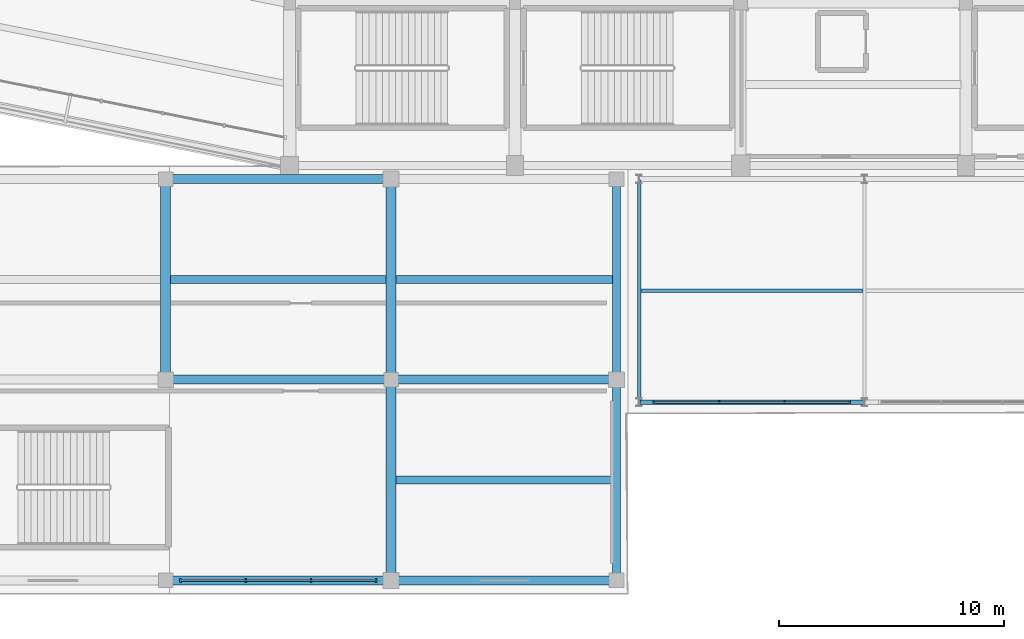
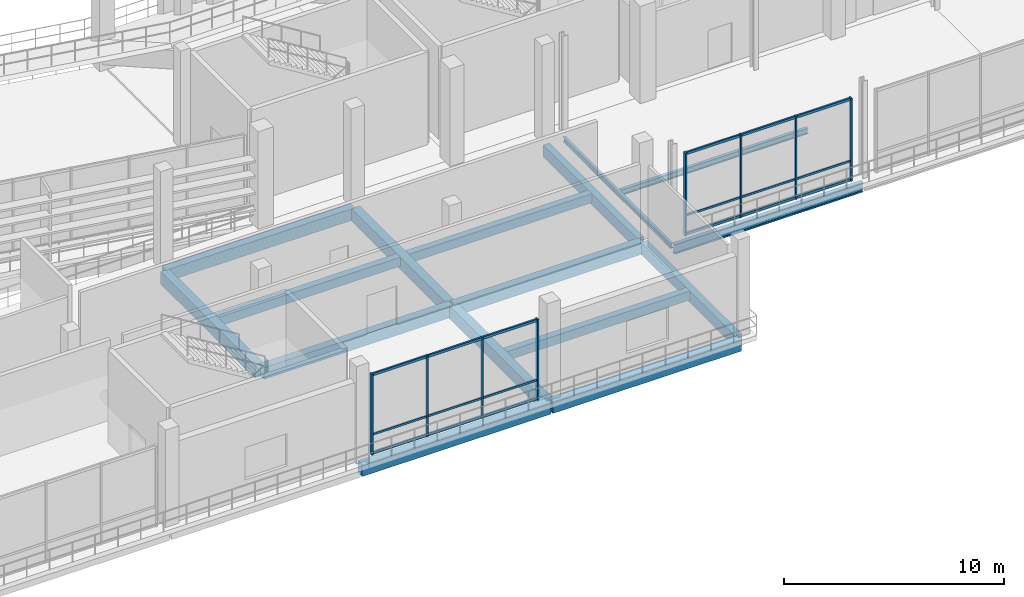
# One storey, part 21 of 127: 16 beams, 14 members, 2 elements without a shape of their own.
"""IFC4 building model written with IfcOpenShell, lengths in metres."""

from ifc_helpers import new_model, si_unit, direction, frame, origin, origin_2d, place, context, subcontext, project, spatial, rectangle, i_section, extrude, material, material_profile, profile_set, type_object, element, aggregate, save


model = new_model("IFC4")

# Units and contexts
model_context = context("Model", 3, precision=1e-05, world=origin(), true_north=direction((0.0, 1.0)))
body_context = subcontext(model_context, "Body", "Model", "MODEL_VIEW")
ifc_project = project(units=[si_unit("LENGTHUNIT", "METRE"), si_unit("AREAUNIT", "SQUARE_METRE"), si_unit("VOLUMEUNIT", "CUBIC_METRE"), si_unit("PLANEANGLEUNIT", "RADIAN"), si_unit("MASSUNIT", "GRAM", prefix="KILO")], contexts=[model_context])

# Site, building, storey
site_placement = place(None, origin())
site = spatial("IfcSite", under=ifc_project, at=site_placement, CompositionType="ELEMENT")
building_placement = place(site_placement, origin())
building = spatial("IfcBuilding", under=site, at=building_placement, Name="Candeia Ridge Stadium", CompositionType="ELEMENT")
storey_placement = place(building_placement, frame((0.0, 0.0, 10.800048828125)))
storey = spatial("IfcBuildingStorey", under=building, at=storey_placement, Name="L02", CompositionType="ELEMENT", Elevation=10.800048828125)

# Beam
ifc_material_1 = material(Name="Steel ASTM A572 Grade 50", Category="steel")
ifc_material_profile_1 = material_profile(ifc_material_1, i_section(OverallWidth=0.14794921875, OverallDepth=0.26611328125, WebThickness=0.007568359375, FlangeThickness=0.012939453125, FilletRadius=0.010986328125, at=origin_2d()), Name="W250x44.8", Category="steel")
ifc_profile_set_1 = profile_set([ifc_material_profile_1], Name="Steel ASTM A572 Grade 50")
beam_type_1 = type_object("IfcBeamType", Name="Canopy Edge Spandrel W250x44.8", PredefinedType="SPANDREL", material=ifc_profile_set_1)
beam_1_placement = place(storey_placement, frame((86.5, 8.550048828125, -0.39306640625), z_axis=(0.0, 1.0, 0.0), x_axis=(-1.0, 0.0, 0.0)))
element("IfcBeam", 1, at=beam_1_placement, inside=storey, type_object=beam_type_1, Name="Structural girder BM-L02-2188", PredefinedType="SPANDREL", context=body_context, shape_type="SweptSolid", body=[
    extrude(i_section(OverallWidth=0.14794921875, OverallDepth=0.26611328125, WebThickness=0.007568359375, FlangeThickness=0.012939453125, FilletRadius=0.010986328125, at=origin_2d()), origin(), (0.0, 0.0, 1.0), 9.800048828125),
])

# Curtain wall, members
ifc_material_2 = material(Name="Aluminium Anodized Warm Bronze", Category="aluminium")
curtain_wall_type_1 = type_object("IfcCurtainWallType", Name="Museum & Boulevard Showcase Curtain Wall", PredefinedType="NOTDEFINED", material=ifc_material_2)
curtain_wall_1_placement = place(storey_placement, origin())
curtain_wall_1 = element("IfcCurtainWall", 2, at=curtain_wall_1_placement, inside=storey, type_object=curtain_wall_type_1, Name="Unitised curtain wall CW-WNG-L02-123", PredefinedType="NOTDEFINED")
ifc_material_profile_2 = material_profile(ifc_material_2, rectangle(XDim=0.090087890625, YDim=0.179931640625, at=origin_2d()), Name="CWM-90x180", Category="aluminium")
ifc_profile_set_2 = profile_set([ifc_material_profile_2], Name="Aluminium Anodized Warm Bronze")
member_type_1 = type_object("IfcMemberType", Name="Curtain Wall Primary Mullion 90x180", PredefinedType="MULLION", material=ifc_profile_set_2)
member_1_placement = place(storey_placement, frame((66.159912109375, 0.60009765625, 0.0), z_axis=(0.0, 0.0, 1.0), x_axis=(1.0, 0.0, 0.0)))
member_1 = element("IfcMember", 3, at=member_1_placement, type_object=member_type_1, Name="Curtain wall mullion CW-WNG-L02-123-M0", PredefinedType="MULLION", context=body_context, shape_type="SweptSolid", body=[
    extrude(rectangle(XDim=0.090087890625, YDim=0.179931640625, at=origin_2d()), origin(), (0.0, 0.0, 1.0), 4.48486328125),
])
member_2_placement = place(storey_placement, frame((74.840087890625, 0.60009765625, 0.0), z_axis=(0.0, 0.0, 1.0), x_axis=(1.0, 0.0, 0.0)))
member_2 = element("IfcMember", 4, at=member_2_placement, type_object=member_type_1, Name="Curtain wall mullion CW-WNG-L02-123-M3", PredefinedType="MULLION", context=body_context, shape_type="SweptSolid", body=[
    extrude(rectangle(XDim=0.090087890625, YDim=0.179931640625, at=origin_2d()), origin(), (0.0, 0.0, 1.0), 4.48486328125),
])

curtain_wall_type_2 = type_object("IfcCurtainWallType", Name="Cardinal Entrance Gate Tall Glazed Curtain Wall", PredefinedType="NOTDEFINED", material=ifc_material_2)
curtain_wall_2_placement = place(storey_placement, origin())
curtain_wall_2 = element("IfcCurtainWall", 5, at=curtain_wall_2_placement, inside=storey, type_object=curtain_wall_type_2, Name="Unitised curtain wall CW-WNG-L02-127", PredefinedType="NOTDEFINED")
member_3_placement = place(storey_placement, frame((87.159912109375, 8.5, 0.0), z_axis=(0.0, 0.0, 1.0), x_axis=(1.0, 0.0, 0.0)))
member_3 = element("IfcMember", 6, at=member_3_placement, type_object=member_type_1, Name="Curtain wall mullion CW-WNG-L02-127-M0", PredefinedType="MULLION", context=body_context, shape_type="SweptSolid", body=[
    extrude(rectangle(XDim=0.090087890625, YDim=0.179931640625, at=origin_2d()), origin(), (0.0, 0.0, 1.0), 4.60205078125),
])
member_4_placement = place(storey_placement, frame((95.840087890625, 8.5, 0.0), z_axis=(0.0, 0.0, 1.0), x_axis=(1.0, 0.0, 0.0)))
member_4 = element("IfcMember", 7, at=member_4_placement, type_object=member_type_1, Name="Curtain wall mullion CW-WNG-L02-127-M3", PredefinedType="MULLION", context=body_context, shape_type="SweptSolid", body=[
    extrude(rectangle(XDim=0.090087890625, YDim=0.179931640625, at=origin_2d()), origin(), (0.0, 0.0, 1.0), 4.60205078125),
])

# Member
ifc_material_profile_3 = material_profile(ifc_material_2, rectangle(XDim=0.074951171875, YDim=0.14990234375, at=origin_2d()), Name="CWM-75x150", Category="aluminium")
ifc_profile_set_3 = profile_set([ifc_material_profile_3], Name="Aluminium Anodized Warm Bronze")
member_type_2 = type_object("IfcMemberType", Name="Curtain Wall Secondary Mullion 75x150", PredefinedType="MULLION", material=ifc_profile_set_3)
member_5_placement = place(storey_placement, frame((69.05322265625, 0.60009765625, 0.0), z_axis=(0.0, 0.0, 1.0), x_axis=(1.0, 0.0, 0.0)))
member_5 = element("IfcMember", 8, at=member_5_placement, type_object=member_type_2, Name="Curtain wall mullion CW-WNG-L02-123-M1", PredefinedType="MULLION", context=body_context, shape_type="SweptSolid", body=[
    extrude(rectangle(XDim=0.074951171875, YDim=0.14990234375, at=origin_2d()), origin(), (0.0, 0.0, 1.0), 4.48486328125),
])

member_6_placement = place(storey_placement, frame((71.94677734375, 0.60009765625, 0.0), z_axis=(0.0, 0.0, 1.0), x_axis=(1.0, 0.0, 0.0)))
member_6 = element("IfcMember", 9, at=member_6_placement, type_object=member_type_2, Name="Curtain wall mullion CW-WNG-L02-123-M2", PredefinedType="MULLION", context=body_context, shape_type="SweptSolid", body=[
    extrude(rectangle(XDim=0.074951171875, YDim=0.14990234375, at=origin_2d()), origin(), (0.0, 0.0, 1.0), 4.48486328125),
])

member_7_placement = place(storey_placement, frame((90.05322265625, 8.5, 0.0), z_axis=(0.0, 0.0, 1.0), x_axis=(1.0, 0.0, 0.0)))
member_7 = element("IfcMember", 10, at=member_7_placement, type_object=member_type_2, Name="Curtain wall mullion CW-WNG-L02-127-M1", PredefinedType="MULLION", context=body_context, shape_type="SweptSolid", body=[
    extrude(rectangle(XDim=0.074951171875, YDim=0.14990234375, at=origin_2d()), origin(), (0.0, 0.0, 1.0), 4.60205078125),
])

member_8_placement = place(storey_placement, frame((92.94677734375, 8.5, 0.0), z_axis=(0.0, 0.0, 1.0), x_axis=(1.0, 0.0, 0.0)))
member_8 = element("IfcMember", 11, at=member_8_placement, type_object=member_type_2, Name="Curtain wall mullion CW-WNG-L02-127-M2", PredefinedType="MULLION", context=body_context, shape_type="SweptSolid", body=[
    extrude(rectangle(XDim=0.074951171875, YDim=0.14990234375, at=origin_2d()), origin(), (0.0, 0.0, 1.0), 4.60205078125),
])

ifc_material_profile_4 = material_profile(ifc_material_2, rectangle(XDim=0.074951171875, YDim=0.110107421875, at=origin_2d()), Name="CWT-75x110", Category="aluminium")
ifc_profile_set_4 = profile_set([ifc_material_profile_4], Name="Aluminium Anodized Warm Bronze")
member_type_3 = type_object("IfcMemberType", Name="Curtain Wall Secondary Transom 75x110", PredefinedType="USERDEFINED", material=ifc_profile_set_4)
member_9_placement = place(storey_placement, frame((66.159912109375, 0.60009765625, 1.099853515625), z_axis=(1.0, 0.0, 0.0), x_axis=(0.0, 1.0, 0.0)))
member_9 = element("IfcMember", 12, at=member_9_placement, type_object=member_type_3, Name="Curtain wall transom CW-WNG-L02-123-T1", ObjectType="TRANSOM", PredefinedType="USERDEFINED", context=body_context, shape_type="SweptSolid", body=[
    extrude(rectangle(XDim=0.074951171875, YDim=0.110107421875, at=origin_2d()), origin(), (0.0, 0.0, 1.0), 8.68017578125),
])

member_10_placement = place(storey_placement, frame((87.159912109375, 8.5, 1.099853515625), z_axis=(1.0, 0.0, 0.0), x_axis=(0.0, 1.0, 0.0)))
member_10 = element("IfcMember", 13, at=member_10_placement, type_object=member_type_3, Name="Curtain wall transom CW-WNG-L02-127-T1", ObjectType="TRANSOM", PredefinedType="USERDEFINED", context=body_context, shape_type="SweptSolid", body=[
    extrude(rectangle(XDim=0.074951171875, YDim=0.110107421875, at=origin_2d()), origin(), (0.0, 0.0, 1.0), 8.68017578125),
])

ifc_material_profile_5 = material_profile(ifc_material_2, rectangle(XDim=0.090087890625, YDim=0.139892578125, at=origin_2d()), Name="CWT-90x140", Category="aluminium")
ifc_profile_set_5 = profile_set([ifc_material_profile_5], Name="Aluminium Anodized Warm Bronze")
member_type_4 = type_object("IfcMemberType", Name="Curtain Wall Transom 90x140", PredefinedType="USERDEFINED", material=ifc_profile_set_5)
member_11_placement = place(storey_placement, frame((66.159912109375, 0.60009765625, 0.070068359375), z_axis=(1.0, 0.0, 0.0), x_axis=(0.0, 1.0, 0.0)))
member_11 = element("IfcMember", 14, at=member_11_placement, type_object=member_type_4, Name="Curtain wall transom CW-WNG-L02-123-T0", ObjectType="TRANSOM", PredefinedType="USERDEFINED", context=body_context, shape_type="SweptSolid", body=[
    extrude(rectangle(XDim=0.090087890625, YDim=0.139892578125, at=origin_2d()), origin(), (0.0, 0.0, 1.0), 8.68017578125),
])

member_12_placement = place(storey_placement, frame((66.159912109375, 0.60009765625, 4.4150390625), z_axis=(1.0, 0.0, 0.0), x_axis=(0.0, 1.0, 0.0)))
member_12 = element("IfcMember", 15, at=member_12_placement, type_object=member_type_4, Name="Curtain wall transom CW-WNG-L02-123-T2", ObjectType="TRANSOM", PredefinedType="USERDEFINED", context=body_context, shape_type="SweptSolid", body=[
    extrude(rectangle(XDim=0.090087890625, YDim=0.139892578125, at=origin_2d()), origin(), (0.0, 0.0, 1.0), 8.68017578125),
])

aggregate(curtain_wall_1, [member_1, member_5, member_6, member_2, member_11, member_9, member_12])

member_13_placement = place(storey_placement, frame((87.159912109375, 8.5, 0.070068359375), z_axis=(1.0, 0.0, 0.0), x_axis=(0.0, 1.0, 0.0)))
member_13 = element("IfcMember", 16, at=member_13_placement, type_object=member_type_4, Name="Curtain wall transom CW-WNG-L02-127-T0", ObjectType="TRANSOM", PredefinedType="USERDEFINED", context=body_context, shape_type="SweptSolid", body=[
    extrude(rectangle(XDim=0.090087890625, YDim=0.139892578125, at=origin_2d()), origin(), (0.0, 0.0, 1.0), 8.68017578125),
])

member_14_placement = place(storey_placement, frame((87.159912109375, 8.5, 4.531982421875), z_axis=(1.0, 0.0, 0.0), x_axis=(0.0, 1.0, 0.0)))
member_14 = element("IfcMember", 17, at=member_14_placement, type_object=member_type_4, Name="Curtain wall transom CW-WNG-L02-127-T2", ObjectType="TRANSOM", PredefinedType="USERDEFINED", context=body_context, shape_type="SweptSolid", body=[
    extrude(rectangle(XDim=0.090087890625, YDim=0.139892578125, at=origin_2d()), origin(), (0.0, 0.0, 1.0), 8.68017578125),
])

aggregate(curtain_wall_2, [member_3, member_7, member_8, member_4, member_13, member_10, member_14])

# Beams
ifc_material_3 = material(Name="Concrete C40/50", Category="concrete")
ifc_material_profile_6 = material_profile(ifc_material_3, rectangle(XDim=0.35009765625, YDim=0.5, at=origin_2d()), Name="RC350x500", Category="concrete")
ifc_profile_set_6 = profile_set([ifc_material_profile_6], Name="Concrete C40/50")
beam_type_2 = type_object("IfcBeamType", Name="Floor Joist RC350x500", PredefinedType="JOIST", material=ifc_profile_set_6)
beam_2_placement = place(storey_placement, frame((65.724609375, 13.949951171875, -0.510009765625), z_axis=(1.0, 0.0, 0.0), x_axis=(0.0, 1.0, 0.0)))
element("IfcBeam", 18, at=beam_2_placement, inside=storey, type_object=beam_type_2, Name="Wing secondary joist BM-L02-2141", PredefinedType="JOIST", context=body_context, shape_type="SweptSolid", body=[
    extrude(rectangle(XDim=0.35009765625, YDim=0.5, at=origin_2d()), origin(), (0.0, 0.0, 1.0), 9.55078125),
])
for number, where, z_axis, x_axis, name in (
    (19, (75.724609375, 5.050048828125, -0.510009765625), (1.0, 0.0, 0.0), (0.0, 1.0, 0.0), "Wing secondary joist BM-L02-2144"),
    (20, (75.724609375, 13.949951171875, -0.510009765625), (1.0, 0.0, 0.0), (0.0, 1.0, 0.0), "Wing secondary joist BM-L02-2146"),
):
    element("IfcBeam", number, at=place(storey_placement, frame(where, z_axis=z_axis, x_axis=x_axis)), inside=storey, type_object=beam_type_2, Name=name, PredefinedType="JOIST", context=body_context, shape_type="SweptSolid", body=[
        extrude(rectangle(XDim=0.35009765625, YDim=0.5, at=origin_2d()), origin(), (0.0, 0.0, 1.0), 9.600830078125),
    ])
ifc_material_profile_7 = material_profile(ifc_material_3, rectangle(XDim=0.449951171875, YDim=0.699951171875, at=origin_2d()), Name="RC450x700", Category="concrete")
ifc_profile_set_7 = profile_set([ifc_material_profile_7], Name="Concrete C40/50")
beam_type_3 = type_object("IfcBeamType", Name="Frame Girder RC450x700", PredefinedType="BEAM", material=ifc_profile_set_7)
for number, where, z_axis, x_axis, name in (
    (21, (65.5, 9.659912109375, -0.610107421875), (0.0, 1.0, 0.0), (-1.0, 0.0, 0.0), "Structural girder BM-L02-2116"),
    (22, (75.5, 0.760009765625, -0.610107421875), (0.0, 1.0, 0.0), (-1.0, 0.0, 0.0), "Structural girder BM-L02-2117"),
    (23, (75.5, 9.659912109375, -0.610107421875), (0.0, 1.0, 0.0), (-1.0, 0.0, 0.0), "Structural girder BM-L02-2118"),
):
    element("IfcBeam", number, at=place(storey_placement, frame(where, z_axis=z_axis, x_axis=x_axis)), inside=storey, type_object=beam_type_3, Name=name, PredefinedType="BEAM", context=body_context, shape_type="SweptSolid", body=[
        extrude(rectangle(XDim=0.449951171875, YDim=0.699951171875, at=origin_2d()), origin(), (0.0, 0.0, 1.0), 8.580078125),
    ])
ifc_material_profile_8 = material_profile(ifc_material_1, i_section(OverallWidth=0.208984375, OverallDepth=0.532958984375, WebThickness=0.01025390625, FlangeThickness=0.015625, FilletRadius=0.013916015625, at=origin_2d()), Name="W530x92", Category="steel")
ifc_profile_set_8 = profile_set([ifc_material_profile_8], Name="Steel ASTM A572 Grade 50")
beam_type_4 = type_object("IfcBeamType", Name="Gate Portal Girder W530x92", PredefinedType="BEAM", material=ifc_profile_set_8)
beam_3_placement = place(storey_placement, frame((86.550048828125, 8.5, -0.526611328125), z_axis=(1.0, 0.0, 0.0), x_axis=(0.0, 1.0, 0.0)))
element("IfcBeam", 24, at=beam_3_placement, inside=storey, type_object=beam_type_4, Name="Structural girder BM-L02-2193", PredefinedType="BEAM", context=body_context, shape_type="SweptSolid", body=[
    extrude(i_section(OverallWidth=0.208984375, OverallDepth=0.532958984375, WebThickness=0.01025390625, FlangeThickness=0.015625, FilletRadius=0.013916015625, at=origin_2d()), origin(), (0.0, 0.0, 1.0), 9.89990234375),
])
ifc_material_profile_9 = material_profile(ifc_material_1, i_section(OverallWidth=0.1669921875, OverallDepth=0.31689453125, WebThickness=0.007568359375, FlangeThickness=0.01318359375, FilletRadius=0.011962890625, at=origin_2d()), Name="W310x52", Category="steel")
ifc_profile_set_9 = profile_set([ifc_material_profile_9], Name="Steel ASTM A572 Grade 50")
beam_type_5 = type_object("IfcBeamType", Name="Pavilion Secondary Joist W310x52", PredefinedType="JOIST", material=ifc_profile_set_9)
beam_4_placement = place(storey_placement, frame((86.573486328125, 13.449951171875, -0.41845703125), z_axis=(1.0, 0.0, 0.0), x_axis=(0.0, 1.0, 0.0)))
element("IfcBeam", 25, at=beam_4_placement, inside=storey, type_object=beam_type_5, Name="Wing secondary joist BM-L02-2194", PredefinedType="JOIST", context=body_context, shape_type="SweptSolid", body=[
    extrude(i_section(OverallWidth=0.1669921875, OverallDepth=0.31689453125, WebThickness=0.007568359375, FlangeThickness=0.01318359375, FilletRadius=0.011962890625, at=origin_2d()), origin(), (0.0, 0.0, 1.0), 9.85302734375),
])
ifc_material_profile_10 = material_profile(ifc_material_3, rectangle(XDim=0.35009765625, YDim=0.64990234375, at=origin_2d()), Name="RC350x650", Category="concrete")
ifc_profile_set_10 = profile_set([ifc_material_profile_10], Name="Concrete C40/50")
beam_type_6 = type_object("IfcBeamType", Name="Spandrel Beam RC350x650", PredefinedType="SPANDREL", material=ifc_profile_set_10)
for number, where, z_axis, x_axis, name in (
    (26, (85.5, 0.760009765625, -0.5849609375), (0.0, 1.0, 0.0), (-1.0, 0.0, 0.0), "Structural girder BM-L02-2119"),
    (27, (85.5, 9.659912109375, -0.5849609375), (0.0, 1.0, 0.0), (-1.0, 0.0, 0.0), "Structural girder BM-L02-2120"),
):
    element("IfcBeam", number, at=place(storey_placement, frame(where, z_axis=z_axis, x_axis=x_axis)), inside=storey, type_object=beam_type_6, Name=name, PredefinedType="SPANDREL", context=body_context, shape_type="SweptSolid", body=[
        extrude(rectangle(XDim=0.35009765625, YDim=0.64990234375, at=origin_2d()), origin(), (0.0, 0.0, 1.0), 8.580078125),
    ])
ifc_material_profile_11 = material_profile(ifc_material_3, rectangle(XDim=0.39990234375, YDim=0.64990234375, at=origin_2d()), Name="RC400x650", Category="concrete")
ifc_profile_set_11 = profile_set([ifc_material_profile_11], Name="Concrete C40/50")
beam_type_7 = type_object("IfcBeamType", Name="Wing Primary Girder RC400x650", PredefinedType="BEAM", material=ifc_profile_set_11)
for number, where, z_axis, x_axis, name in (
    (28, (65.550048828125, 0.60009765625, -0.5849609375), (1.0, 0.0, 0.0), (0.0, 1.0, 0.0), "Structural girder BM-L02-2139"),
    (29, (65.550048828125, 9.5, -0.5849609375), (1.0, 0.0, 0.0), (0.0, 1.0, 0.0), "Structural girder BM-L02-2140"),
    (30, (65.550048828125, 18.39990234375, -0.5849609375), (1.0, 0.0, 0.0), (0.0, 1.0, 0.0), "Structural girder BM-L02-2142"),
    (31, (75.550048828125, 0.60009765625, -0.5849609375), (1.0, 0.0, 0.0), (0.0, 1.0, 0.0), "Structural girder BM-L02-2143"),
    (32, (75.550048828125, 9.5, -0.5849609375), (1.0, 0.0, 0.0), (0.0, 1.0, 0.0), "Structural girder BM-L02-2145"),
):
    element("IfcBeam", number, at=place(storey_placement, frame(where, z_axis=z_axis, x_axis=x_axis)), inside=storey, type_object=beam_type_7, Name=name, PredefinedType="BEAM", context=body_context, shape_type="SweptSolid", body=[
        extrude(rectangle(XDim=0.39990234375, YDim=0.64990234375, at=origin_2d()), origin(), (0.0, 0.0, 1.0), 9.89990234375),
    ])

save(model, "model.ifc")
